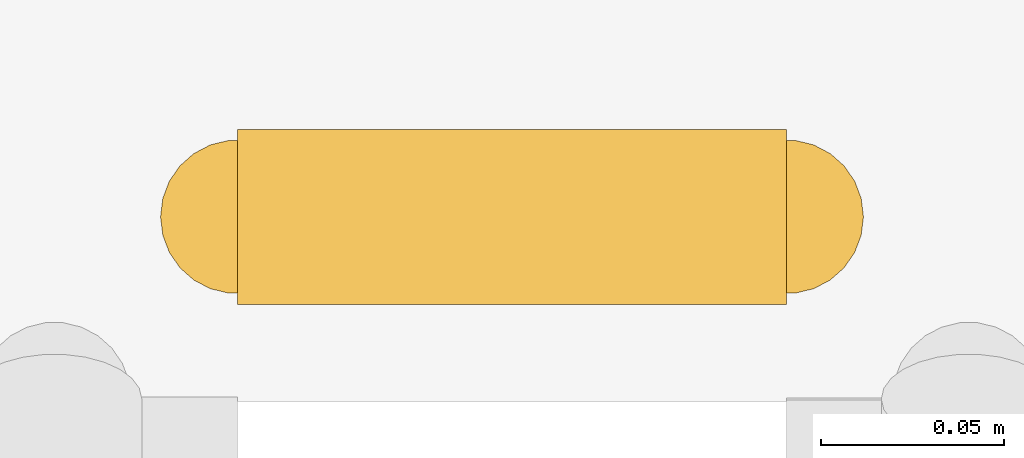
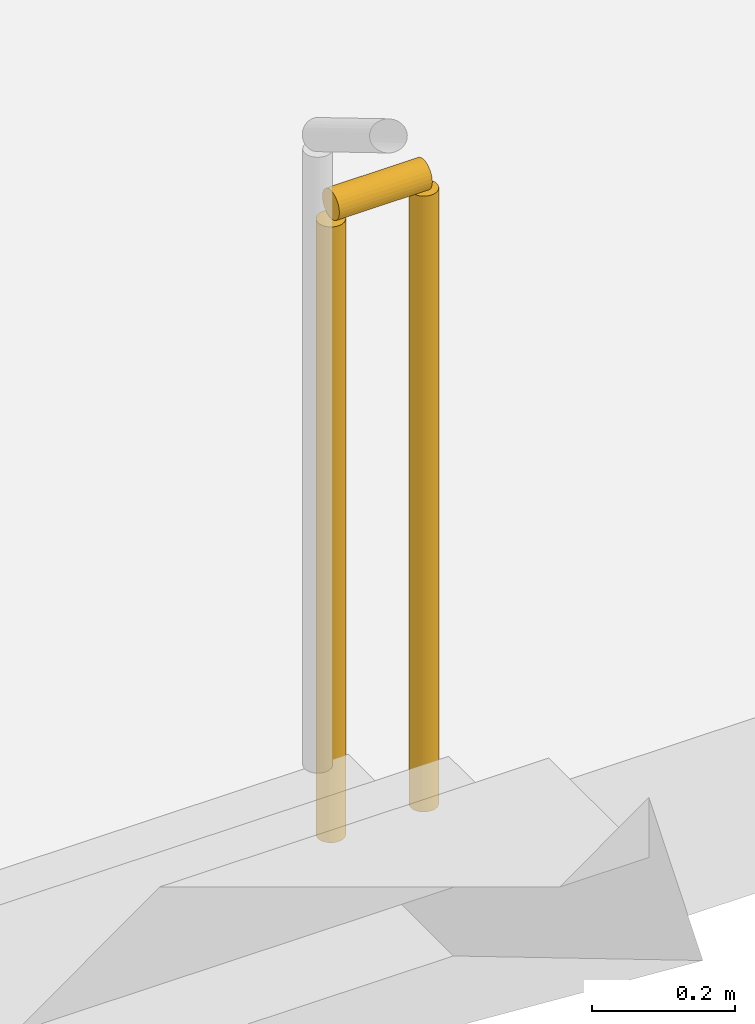
# One storey, part 31 of 32: 1 railing.
"""IFC4 building model written with IfcOpenShell, lengths in metres."""

from ifc_helpers import new_model, si_unit, direction, frame, origin, origin_2d, place, context, subcontext, project, spatial, circle, extrude, material, type_object, element, save


model = new_model("IFC4")

# Units and contexts
model_context = context("Model", 3, precision=1e-05, world=origin(), true_north=direction((0.0, 1.0)))
body_context = subcontext(model_context, "Body", "Model", "MODEL_VIEW")
ifc_project = project(units=[si_unit("LENGTHUNIT", "METRE"), si_unit("AREAUNIT", "SQUARE_METRE"), si_unit("VOLUMEUNIT", "CUBIC_METRE"), si_unit("PLANEANGLEUNIT", "RADIAN"), si_unit("MASSUNIT", "GRAM", prefix="KILO")], contexts=[model_context])

# Site, building, storey
site_placement = place(None, origin())
site = spatial("IfcSite", under=ifc_project, at=site_placement, CompositionType="ELEMENT")
building_placement = place(site_placement, origin())
building = spatial("IfcBuilding", under=site, at=building_placement, Name="Tamorin Gate", CompositionType="ELEMENT")
storey_placement = place(building_placement, frame((0.0, 0.0, 13.5)))
storey = spatial("IfcBuildingStorey", under=building, at=storey_placement, Name="L02", CompositionType="ELEMENT", Elevation=13.5)

# Railing
ifc_material = material(Name="Steel, galvanised", Category="steel")
railing_type = type_object("IfcRailingType", Name="Steel guard 1100 museum", PredefinedType="GUARDRAIL", material=ifc_material)
railing_placement = place(storey_placement, frame((148.699951171875, 95.64990234375, 0.0)))
element("IfcRailing", 1, at=railing_placement, inside=storey, type_object=railing_type, Name="L02 PS6 stair guard 4", PredefinedType="GUARDRAIL", context=body_context, shape_type="SweptSolid", body=[
    extrude(circle(Radius=0.02392578125, at=origin_2d()), frame((0.0, 0.0, 1.076171875), z_axis=(1.0, 0.0, 0.0), x_axis=(0.0, 1.0, 0.0)), (0.0, 0.0, 1.0), 0.150146484375),
    extrude(circle(Radius=0.02099609375, at=origin_2d()), origin(), (0.0, 0.0, 1.0), 1.052001953125),
    extrude(circle(Radius=0.02099609375, at=origin_2d()), frame((0.150146484375, 0.0, 0.0)), (0.0, 0.0, 1.0), 1.052001953125),
])

save(model, "model.ifc")
